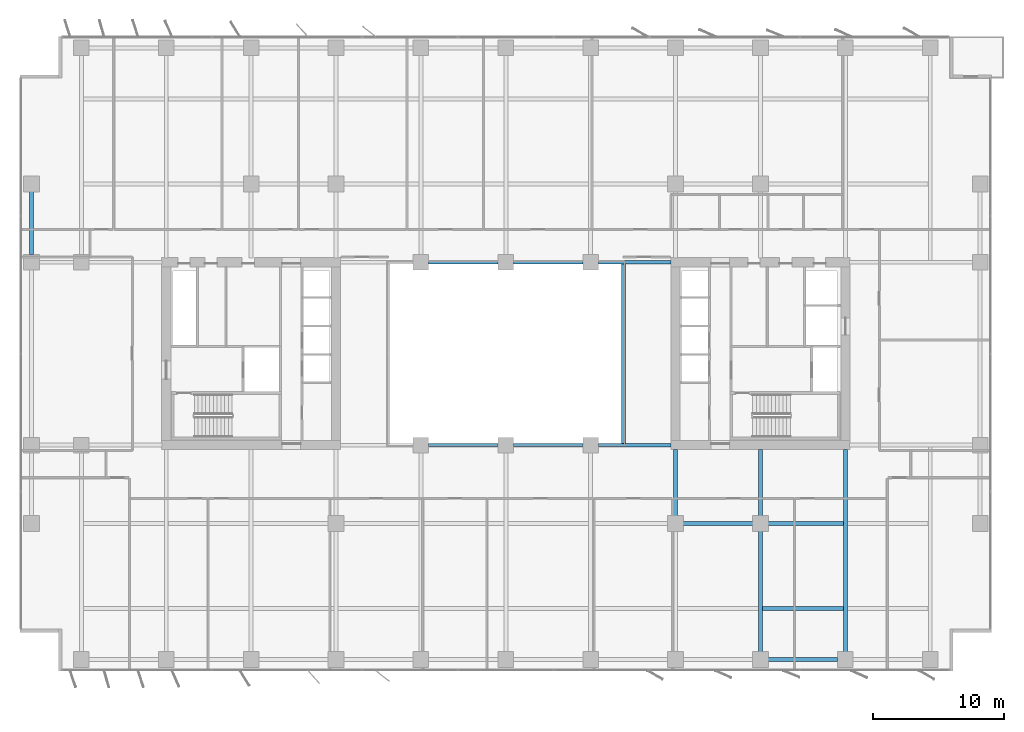
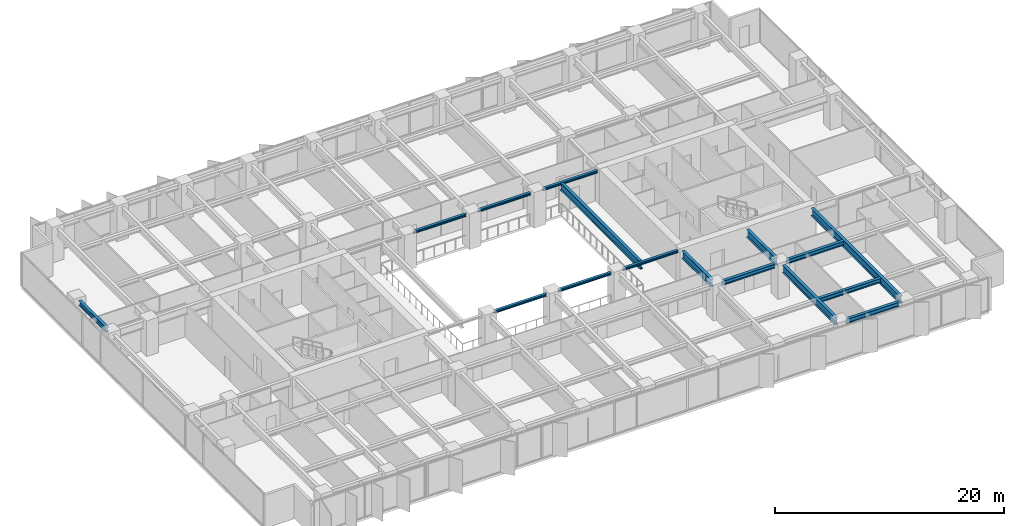
# One storey, part 6 of 20: 16 beams.
"""IFC4 building model written with IfcOpenShell, lengths in metres."""

from ifc_helpers import new_model, si_unit, direction, frame, origin, origin_2d, place, context, subcontext, project, spatial, i_section, extrude, material, material_profile, profile_set, type_object, element, save


model = new_model("IFC4")

# Units and contexts
model_context = context("Model", 3, precision=1e-05, world=origin(), true_north=direction((0.0, 1.0)))
body_context = subcontext(model_context, "Body", "Model", "MODEL_VIEW")
ifc_project = project(units=[si_unit("LENGTHUNIT", "METRE"), si_unit("AREAUNIT", "SQUARE_METRE"), si_unit("VOLUMEUNIT", "CUBIC_METRE"), si_unit("PLANEANGLEUNIT", "RADIAN"), si_unit("MASSUNIT", "GRAM", prefix="KILO")], contexts=[model_context])

# Site, building, storey
site_placement = place(None, origin())
site = spatial("IfcSite", under=ifc_project, at=site_placement, CompositionType="ELEMENT")
building_placement = place(site_placement, origin())
building = spatial("IfcBuilding", under=site, at=building_placement, Name="Putna Gate Headquarters", CompositionType="ELEMENT")
storey_placement = place(building_placement, frame((0.0, 0.0, 135.39990234375)))
storey = spatial("IfcBuildingStorey", under=building, at=storey_placement, Name="L33", CompositionType="ELEMENT", Elevation=135.39990234375)

# Beams
ifc_material = material(Name="Steel S355J2", Category="steel")
ifc_material_profile_1 = material_profile(ifc_material, i_section(OverallWidth=0.260009765625, OverallDepth=0.260009765625, WebThickness=0.010009765625, FlangeThickness=0.017578125, at=origin_2d()), Name="Steel S355J2")
ifc_profile_set_1 = profile_set([ifc_material_profile_1], Name="Steel S355J2")
beam_type_1 = type_object("IfcBeamType", Name="BM-ATRIUM-HEB260", PredefinedType="BEAM", material=ifc_profile_set_1)
for number, where, z_axis, x_axis, name in (
    (1, (33.087890625, 19.0, 3.39013671875), (1.0, 0.0, 0.0), (0.0, 1.0, 0.0), "L33 Atrium Edge Beam AS2"),
    (2, (39.587890625, 19.0, 3.39013671875), (1.0, 0.0, 0.0), (0.0, 1.0, 0.0), "L33 Atrium Edge Beam AS3"),
):
    element("IfcBeam", number, at=place(storey_placement, frame(where, z_axis=z_axis, x_axis=x_axis)), inside=storey, type_object=beam_type_1, Name=name, PredefinedType="BEAM", context=body_context, shape_type="SweptSolid", body=[
        extrude(i_section(OverallWidth=0.260009765625, OverallDepth=0.260009765625, WebThickness=0.010009765625, FlangeThickness=0.017578125, at=origin_2d()), origin(), (0.0, 0.0, 1.0), 5.32421875),
    ])
beam_1_placement = place(storey_placement, frame((46.087890625, 19.0, 3.39013671875), z_axis=(1.0, 0.0, 0.0), x_axis=(0.0, 1.0, 0.0)))
element("IfcBeam", 3, at=beam_1_placement, inside=storey, type_object=beam_type_1, Name="L33 Atrium Edge Beam AS4", PredefinedType="BEAM", context=body_context, shape_type="SweptSolid", body=[
    extrude(i_section(OverallWidth=0.260009765625, OverallDepth=0.260009765625, WebThickness=0.010009765625, FlangeThickness=0.017578125, at=origin_2d()), origin(), (0.0, 0.0, 1.0), 5.5771484375),
])
for number, where, z_axis, x_axis, name in (
    (4, (33.087890625, 33.0, 3.39013671875), (1.0, 0.0, 0.0), (0.0, 1.0, 0.0), "L33 Atrium Edge Beam AN2"),
    (5, (39.587890625, 33.0, 3.39013671875), (1.0, 0.0, 0.0), (0.0, 1.0, 0.0), "L33 Atrium Edge Beam AN3"),
):
    element("IfcBeam", number, at=place(storey_placement, frame(where, z_axis=z_axis, x_axis=x_axis)), inside=storey, type_object=beam_type_1, Name=name, PredefinedType="BEAM", context=body_context, shape_type="SweptSolid", body=[
        extrude(i_section(OverallWidth=0.260009765625, OverallDepth=0.260009765625, WebThickness=0.010009765625, FlangeThickness=0.017578125, at=origin_2d()), origin(), (0.0, 0.0, 1.0), 5.32421875),
    ])
beam_2_placement = place(storey_placement, frame((46.087890625, 33.0, 3.39013671875), z_axis=(1.0, 0.0, 0.0), x_axis=(0.0, 1.0, 0.0)))
element("IfcBeam", 6, at=beam_2_placement, inside=storey, type_object=beam_type_1, Name="L33 Atrium Edge Beam AN4", PredefinedType="BEAM", context=body_context, shape_type="SweptSolid", body=[
    extrude(i_section(OverallWidth=0.260009765625, OverallDepth=0.260009765625, WebThickness=0.010009765625, FlangeThickness=0.017578125, at=origin_2d()), origin(), (0.0, 0.0, 1.0), 5.5771484375),
])
ifc_material_profile_2 = material_profile(ifc_material, i_section(OverallWidth=0.300048828125, OverallDepth=0.800048828125, WebThickness=0.017578125, FlangeThickness=0.032958984375, at=origin_2d()), Name="Steel S355J2")
ifc_profile_set_2 = profile_set([ifc_material_profile_2], Name="Steel S355J2")
beam_type_2 = type_object("IfcBeamType", Name="BM-GIRD-P-HEB800", PredefinedType="USERDEFINED", material=ifc_profile_set_2)
beam_3_placement = place(storey_placement, frame((52.0, 13.587890625, 3.1201171875), z_axis=(0.0, 1.0, 0.0), x_axis=(-1.0, 0.0, 0.0)))
element("IfcBeam", 7, at=beam_3_placement, inside=storey, type_object=beam_type_2, Name="L33 South Primary Girder X52-2", ObjectType="GIRDER", PredefinedType="USERDEFINED", context=body_context, shape_type="SweptSolid", body=[
    extrude(i_section(OverallWidth=0.300048828125, OverallDepth=0.800048828125, WebThickness=0.017578125, FlangeThickness=0.032958984375, at=origin_2d()), origin(), (0.0, 0.0, 1.0), 5.0771484375),
])
beam_4_placement = place(storey_placement, frame((58.5, 3.16796875, 3.1201171875), z_axis=(0.0, 1.0, 0.0), x_axis=(-1.0, 0.0, 0.0)))
element("IfcBeam", 8, at=beam_4_placement, inside=storey, type_object=beam_type_2, Name="L33 South Primary Girder X58-1", ObjectType="GIRDER", PredefinedType="USERDEFINED", context=body_context, shape_type="SweptSolid", body=[
    extrude(i_section(OverallWidth=0.300048828125, OverallDepth=0.800048828125, WebThickness=0.017578125, FlangeThickness=0.032958984375, at=origin_2d()), origin(), (0.0, 0.0, 1.0), 9.244140625),
])
beam_5_placement = place(storey_placement, frame((58.5, 13.587890625, 3.1201171875), z_axis=(0.0, 1.0, 0.0), x_axis=(-1.0, 0.0, 0.0)))
element("IfcBeam", 9, at=beam_5_placement, inside=storey, type_object=beam_type_2, Name="L33 South Primary Girder X58-2", ObjectType="GIRDER", PredefinedType="USERDEFINED", context=body_context, shape_type="SweptSolid", body=[
    extrude(i_section(OverallWidth=0.300048828125, OverallDepth=0.800048828125, WebThickness=0.017578125, FlangeThickness=0.032958984375, at=origin_2d()), origin(), (0.0, 0.0, 1.0), 5.0771484375),
])
beam_6_placement = place(storey_placement, frame((65.0, 3.16796875, 3.1201171875), z_axis=(0.0, 1.0, 0.0), x_axis=(-1.0, 0.0, 0.0)))
element("IfcBeam", 10, at=beam_6_placement, inside=storey, type_object=beam_type_2, Name="L33 South Primary Girder X65", ObjectType="GIRDER", PredefinedType="USERDEFINED", context=body_context, shape_type="SweptSolid", body=[
    extrude(i_section(OverallWidth=0.300048828125, OverallDepth=0.800048828125, WebThickness=0.017578125, FlangeThickness=0.032958984375, at=origin_2d()), origin(), (0.0, 0.0, 1.0), 15.4970703125),
])
beam_7_placement = place(storey_placement, frame((48.0, 19.010009765625, 3.1201171875), z_axis=(0.0, 1.0, 0.0), x_axis=(-1.0, 0.0, 0.0)))
element("IfcBeam", 11, at=beam_7_placement, inside=storey, type_object=beam_type_2, Name="L33 Atrium Trim Girder AE", ObjectType="GIRDER", PredefinedType="USERDEFINED", context=body_context, shape_type="SweptSolid", body=[
    extrude(i_section(OverallWidth=0.300048828125, OverallDepth=0.800048828125, WebThickness=0.017578125, FlangeThickness=0.032958984375, at=origin_2d()), origin(), (0.0, 0.0, 1.0), 13.97998046875),
])
ifc_material_profile_3 = material_profile(ifc_material, i_section(OverallWidth=0.300048828125, OverallDepth=0.449951171875, WebThickness=0.013916015625, FlangeThickness=0.02587890625, at=origin_2d()), Name="Steel S355J2")
ifc_profile_set_3 = profile_set([ifc_material_profile_3], Name="Steel S355J2")
beam_type_3 = type_object("IfcBeamType", Name="BM-GIRD-Z5-HEB450", PredefinedType="USERDEFINED", material=ifc_profile_set_3)
beam_8_placement = place(storey_placement, frame((52.587890625, 13.0, 3.295166015625), z_axis=(1.0, 0.0, 0.0), x_axis=(0.0, 1.0, 0.0)))
element("IfcBeam", 12, at=beam_8_placement, inside=storey, type_object=beam_type_3, Name="L33 South Secondary Beam 8", ObjectType="GIRDER", PredefinedType="USERDEFINED", context=body_context, shape_type="SweptSolid", body=[
    extrude(i_section(OverallWidth=0.300048828125, OverallDepth=0.449951171875, WebThickness=0.013916015625, FlangeThickness=0.02587890625, at=origin_2d()), origin(), (0.0, 0.0, 1.0), 5.32421875),
])
beam_9_placement = place(storey_placement, frame((58.654052734375, 6.5, 3.295166015625), z_axis=(1.0, 0.0, 0.0), x_axis=(0.0, 1.0, 0.0)))
element("IfcBeam", 13, at=beam_9_placement, inside=storey, type_object=beam_type_3, Name="L33 South Secondary Beam 9", ObjectType="GIRDER", PredefinedType="USERDEFINED", context=body_context, shape_type="SweptSolid", body=[
    extrude(i_section(OverallWidth=0.300048828125, OverallDepth=0.449951171875, WebThickness=0.013916015625, FlangeThickness=0.02587890625, at=origin_2d()), origin(), (0.0, 0.0, 1.0), 6.19189453125),
])
beam_10_placement = place(storey_placement, frame((59.087890625, 13.0, 3.295166015625), z_axis=(1.0, 0.0, 0.0), x_axis=(0.0, 1.0, 0.0)))
element("IfcBeam", 14, at=beam_10_placement, inside=storey, type_object=beam_type_3, Name="L33 South Secondary Beam 9", ObjectType="GIRDER", PredefinedType="USERDEFINED", context=body_context, shape_type="SweptSolid", body=[
    extrude(i_section(OverallWidth=0.300048828125, OverallDepth=0.449951171875, WebThickness=0.013916015625, FlangeThickness=0.02587890625, at=origin_2d()), origin(), (0.0, 0.0, 1.0), 5.758056640625),
])
ifc_material_profile_4 = material_profile(ifc_material, i_section(OverallWidth=0.300048828125, OverallDepth=0.489990234375, WebThickness=0.011962890625, FlangeThickness=0.02294921875, at=origin_2d()), Name="Steel S355J2")
ifc_profile_set_4 = profile_set([ifc_material_profile_4], Name="Steel S355J2")
beam_type_4 = type_object("IfcBeamType", Name="BM-SPAN-Z2-HEA500", PredefinedType="SPANDREL", material=ifc_profile_set_4)
beam_11_placement = place(storey_placement, frame((59.087890625, 2.580078125, 3.275146484375), z_axis=(1.0, 0.0, 0.0), x_axis=(0.0, 1.0, 0.0)))
element("IfcBeam", 15, at=beam_11_placement, inside=storey, type_object=beam_type_4, Name="L33 S Perimeter Spandrel 9", PredefinedType="SPANDREL", context=body_context, shape_type="SweptSolid", body=[
    extrude(i_section(OverallWidth=0.300048828125, OverallDepth=0.489990234375, WebThickness=0.011962890625, FlangeThickness=0.02294921875, at=origin_2d()), origin(), (0.0, 0.0, 1.0), 5.32421875),
])
beam_12_placement = place(storey_placement, frame((2.679931640625, 33.587890625, 3.275146484375), z_axis=(0.0, 1.0, 0.0), x_axis=(-1.0, 0.0, 0.0)))
element("IfcBeam", 16, at=beam_12_placement, inside=storey, type_object=beam_type_4, Name="L33 W End Spandrel 3", PredefinedType="SPANDREL", context=body_context, shape_type="SweptSolid", body=[
    extrude(i_section(OverallWidth=0.300048828125, OverallDepth=0.489990234375, WebThickness=0.011962890625, FlangeThickness=0.02294921875, at=origin_2d()), origin(), (0.0, 0.0, 1.0), 4.82421875),
])

save(model, "model.ifc")
